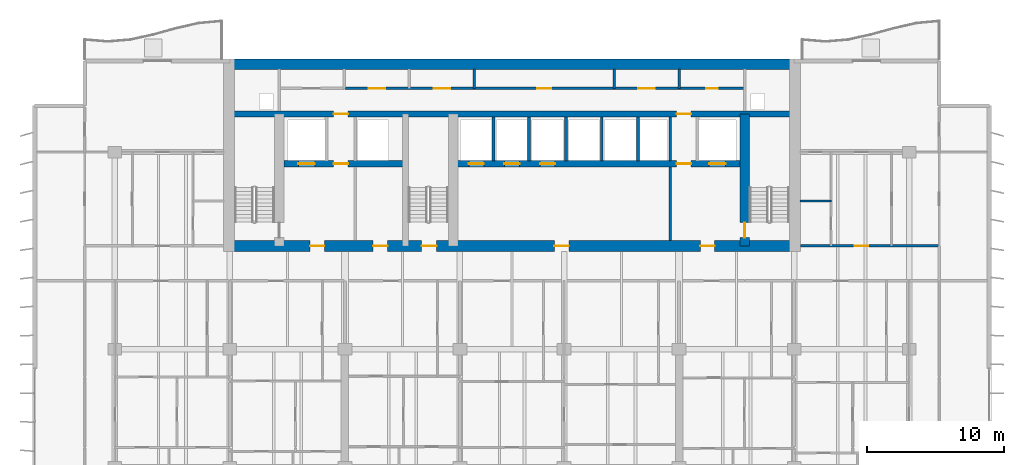
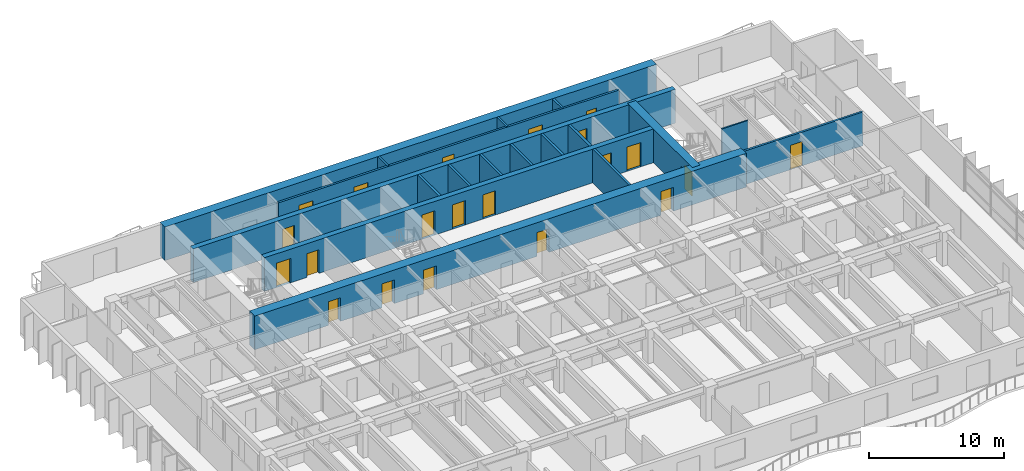
# One storey, part 11 of 17: 21 doors, 18 walls, 21 openings.
"""IFC4 building model written with IfcOpenShell, lengths in metres."""

from ifc_helpers import new_model, si_unit, direction, frame, frame_2d, origin, place, context, subcontext, project, spatial, rectangle, extrude, material, layer, layer_set, type_object, element, fill, save


model = new_model("IFC4")

# Units and contexts
model_context = context("Model", 3, precision=1e-05, world=origin(), true_north=direction((0.0, 1.0)))
body_context = subcontext(model_context, "Body", "Model", "MODEL_VIEW")
ifc_project = project(units=[si_unit("LENGTHUNIT", "METRE"), si_unit("AREAUNIT", "SQUARE_METRE"), si_unit("VOLUMEUNIT", "CUBIC_METRE"), si_unit("PLANEANGLEUNIT", "RADIAN"), si_unit("MASSUNIT", "GRAM", prefix="KILO")], contexts=[model_context])

# Site, building, storey
site_placement = place(None, origin())
site = spatial("IfcSite", under=ifc_project, at=site_placement, CompositionType="ELEMENT")
building_placement = place(site_placement, origin())
building = spatial("IfcBuilding", under=site, at=building_placement, Name="Caelmar Bay Residences", CompositionType="ELEMENT")
storey_placement = place(building_placement, frame((0.0, 0.0, 87.89990234375)))
storey = spatial("IfcBuildingStorey", under=building, at=storey_placement, Name="L23", CompositionType="ELEMENT", Elevation=87.89990234375)

# Wall, opening, door
ifc_material_1 = material(Name="Concrete f'c 55 MPa (8,000 psi)", Category="concrete")
ifc_layer_1 = layer(ifc_material_1, 0.699951171875)
ifc_layer_set_1 = layer_set([ifc_layer_1], Name="Concrete f'c 55 MPa (8,000 psi)")
wall_type_1 = type_object("IfcWallType", Name="SW-COR-700", PredefinedType="SHEAR", material=ifc_layer_set_1)
wall_1_placement = place(storey_placement, frame((55.89990234375, 36.949951171875, 0.0), z_axis=(0.0, 0.0, 1.0), x_axis=(0.0, 1.0, 0.0)))
wall_1 = element("IfcWall", 1, at=wall_1_placement, inside=storey, type_object=wall_type_1, Name="L23 Core Structural Web Wall ST2W", PredefinedType="SHEAR", context=body_context, shape_type="SweptSolid", body=[
    extrude(rectangle(XDim=9.625, YDim=0.699951171875, at=frame_2d((4.8125, 0.0))), origin(), (0.0, 0.0, 1.0), 3.050048828125),
])
opening_1_placement = place(wall_1_placement, frame((0.60009765625, 0.0, 0.0)))
opening_1 = element("IfcOpeningElement", 2, at=opening_1_placement, cuts=wall_1, Name="Opening D-L23-111", PredefinedType="OPENING", context=body_context, shape_type="SweptSolid", body=[
    extrude(rectangle(XDim=1.10009765625, YDim=2.14990234375, at=frame_2d((0.550048828125, 1.074951171875))), frame((0.0, 0.35986328125, 0.0), z_axis=(0.0, -1.0, 0.0), x_axis=(1.0, 0.0, 0.0)), (0.0, 0.0, 1.0), 0.719970703125),
])
ifc_material_2 = material(Name="Fire-rated steel and walnut architectural door assembly", Category="steel")
ifc_layer_2 = layer(ifc_material_2, 0.050048828125)
ifc_layer_set_2 = layer_set([ifc_layer_2], Name="Fire-rated steel and walnut architectural door assembly")
door_type_1 = type_object("IfcDoorType", Name="D-STAIR-1100", OperationType="NOTDEFINED", PredefinedType="DOOR", material=ifc_layer_set_2)
door_1_placement = place(opening_1_placement, origin())
door_1 = element("IfcDoor", 3, at=door_1_placement, inside=storey, type_object=door_type_1, Name="L23 Firefighting Lobby East Door", OperationType="SINGLE_SWING_LEFT", OverallHeight=2.14990234375, OverallWidth=1.10009765625, PredefinedType="DOOR", context=body_context, shape_type="SweptSolid", body=[
    extrude(rectangle(XDim=1.10009765625, YDim=2.14990234375, at=frame_2d((0.550048828125, 1.074951171875))), frame((0.0, 0.02490234375, 0.0), z_axis=(0.0, -1.0, 0.0), x_axis=(1.0, 0.0, 0.0)), (0.0, 0.0, 1.0), 0.050048828125),
])
fill(opening_1, door_1)

# Wall, openings, doors
ifc_material_3 = material(Name="Concrete f'c 70 MPa (10,000 psi)", Category="concrete")
ifc_layer_3 = layer(ifc_material_3, 0.800048828125)
ifc_layer_set_3 = layer_set([ifc_layer_3], Name="Concrete f'c 70 MPa (10,000 psi)")
wall_type_2 = type_object("IfcWallType", Name="SW-COR-800", PredefinedType="SHEAR", material=ifc_layer_set_3)
wall_2_placement = place(storey_placement, frame((17.85009765625, 36.949951171875, 0.0), z_axis=(0.0, 0.0, 1.0), x_axis=(1.0, 0.0, 0.0)))
wall_2 = element("IfcWall", 4, at=wall_2_placement, inside=storey, type_object=wall_type_2, Name="L23 Rear Core South Shear Wall", PredefinedType="SHEAR", context=body_context, shape_type="SweptSolid", body=[
    extrude(rectangle(XDim=42.099853515625, YDim=0.800048828125, at=frame_2d((21.0498046875, 0.0))), origin(), (0.0, 0.0, 1.0), 3.050048828125),
])
opening_2_placement = place(wall_2_placement, frame((14.449951171875, 0.0, 0.0)))
opening_2 = element("IfcOpeningElement", 5, at=opening_2_placement, cuts=wall_2, Name="Opening D-L23-106", PredefinedType="OPENING", context=body_context, shape_type="SweptSolid", body=[
    extrude(rectangle(XDim=1.10009765625, YDim=2.14990234375, at=frame_2d((0.550048828125, 1.074951171875))), frame((0.0, 0.409912109375, 0.0), z_axis=(0.0, -1.0, 0.0), x_axis=(1.0, 0.0, 0.0)), (0.0, 0.0, 1.0), 0.820068359375),
])
opening_3_placement = place(wall_2_placement, frame((6.300048828125, 0.0, 0.0)))
opening_3 = element("IfcOpeningElement", 6, at=opening_3_placement, cuts=wall_2, Name="Opening D-L23-107", PredefinedType="OPENING", context=body_context, shape_type="SweptSolid", body=[
    extrude(rectangle(XDim=1.050048828125, YDim=2.14990234375, at=frame_2d((0.52490234375, 1.074951171875))), frame((0.0, 0.409912109375, 0.0), z_axis=(0.0, -1.0, 0.0), x_axis=(1.0, 0.0, 0.0)), (0.0, 0.0, 1.0), 0.820068359375),
])
opening_4_placement = place(wall_2_placement, frame((34.800048828125, 0.0, 0.0)))
opening_4 = element("IfcOpeningElement", 7, at=opening_4_placement, cuts=wall_2, Name="Opening D-L23-110", PredefinedType="OPENING", context=body_context, shape_type="SweptSolid", body=[
    extrude(rectangle(XDim=1.050048828125, YDim=2.14990234375, at=frame_2d((0.52490234375, 1.074951171875))), frame((0.0, 0.409912109375, 0.0), z_axis=(0.0, -1.0, 0.0), x_axis=(1.0, 0.0, 0.0)), (0.0, 0.0, 1.0), 0.820068359375),
])
opening_5_placement = place(wall_2_placement, frame((10.91259765625, 0.0, 0.0)))
opening_5 = element("IfcOpeningElement", 8, at=opening_5_placement, cuts=wall_2, Name="Opening D-L23-113", PredefinedType="OPENING", context=body_context, shape_type="SweptSolid", body=[
    extrude(rectangle(XDim=1.050048828125, YDim=2.14990234375, at=frame_2d((0.52490234375, 1.074951171875))), frame((0.0, 0.409912109375, 0.0), z_axis=(0.0, -1.0, 0.0), x_axis=(1.0, 0.0, 0.0)), (0.0, 0.0, 1.0), 0.820068359375),
])
opening_6_placement = place(wall_2_placement, frame((24.14990234375, 0.0, 0.0)))
opening_6 = element("IfcOpeningElement", 9, at=opening_6_placement, cuts=wall_2, Name="Opening D-L23-114", PredefinedType="OPENING", context=body_context, shape_type="SweptSolid", body=[
    extrude(rectangle(XDim=1.050048828125, YDim=2.14990234375, at=frame_2d((0.52490234375, 1.074951171875))), frame((0.0, 0.409912109375, 0.0), z_axis=(0.0, -1.0, 0.0), x_axis=(1.0, 0.0, 0.0)), (0.0, 0.0, 1.0), 0.820068359375),
])
ifc_layer_4 = layer(ifc_material_2, 0.050048828125)
ifc_layer_set_4 = layer_set([ifc_layer_4], Name="Fire-rated steel and walnut architectural door assembly")
door_type_2 = type_object("IfcDoorType", Name="D-FSAE-1050", OperationType="NOTDEFINED", PredefinedType="DOOR", material=ifc_layer_set_4)
door_2_placement = place(opening_3_placement, origin())
door_2 = element("IfcDoor", 10, at=door_2_placement, inside=storey, type_object=door_type_2, Name="L23 Firefighting Lobby West Door", OperationType="SINGLE_SWING_LEFT", OverallHeight=2.14990234375, OverallWidth=1.050048828125, PredefinedType="DOOR", context=body_context, shape_type="SweptSolid", body=[
    extrude(rectangle(XDim=1.050048828125, YDim=2.14990234375, at=frame_2d((0.52490234375, 1.074951171875))), frame((0.0, 0.02490234375, 0.0), z_axis=(0.0, -1.0, 0.0), x_axis=(1.0, 0.0, 0.0)), (0.0, 0.0, 1.0), 0.050048828125),
])
fill(opening_3, door_2)
door_3_placement = place(opening_4_placement, origin())
door_3 = element("IfcDoor", 11, at=door_3_placement, inside=storey, type_object=door_type_2, Name="L23 Firefighting Lobby East Door", OperationType="SINGLE_SWING_RIGHT", OverallHeight=2.14990234375, OverallWidth=1.050048828125, PredefinedType="DOOR", context=body_context, shape_type="SweptSolid", body=[
    extrude(rectangle(XDim=1.050048828125, YDim=2.14990234375, at=frame_2d((0.52490234375, 1.074951171875))), frame((0.0, 0.02490234375, 0.0), z_axis=(0.0, -1.0, 0.0), x_axis=(1.0, 0.0, 0.0)), (0.0, 0.0, 1.0), 0.050048828125),
])
fill(opening_4, door_3)
door_4_placement = place(opening_5_placement, origin())
door_4 = element("IfcDoor", 12, at=door_4_placement, inside=storey, type_object=door_type_2, Name="L23 West Lift Lobby Door", OperationType="SINGLE_SWING_LEFT", OverallHeight=2.14990234375, OverallWidth=1.050048828125, PredefinedType="DOOR", context=body_context, shape_type="SweptSolid", body=[
    extrude(rectangle(XDim=1.050048828125, YDim=2.14990234375, at=frame_2d((0.52490234375, 1.074951171875))), frame((0.0, 0.02490234375, 0.0), z_axis=(0.0, -1.0, 0.0), x_axis=(1.0, 0.0, 0.0)), (0.0, 0.0, 1.0), 0.050048828125),
])
fill(opening_5, door_4)
door_5_placement = place(opening_6_placement, origin())
door_5 = element("IfcDoor", 13, at=door_5_placement, inside=storey, type_object=door_type_2, Name="L23 Passenger Lift Lobby Door", OperationType="SINGLE_SWING_RIGHT", OverallHeight=2.14990234375, OverallWidth=1.050048828125, PredefinedType="DOOR", context=body_context, shape_type="SweptSolid", body=[
    extrude(rectangle(XDim=1.050048828125, YDim=2.14990234375, at=frame_2d((0.52490234375, 1.074951171875))), frame((0.0, 0.02490234375, 0.0), z_axis=(0.0, -1.0, 0.0), x_axis=(1.0, 0.0, 0.0)), (0.0, 0.0, 1.0), 0.050048828125),
])
fill(opening_6, door_5)
door_6_placement = place(opening_2_placement, origin())
door_6 = element("IfcDoor", 14, at=door_6_placement, inside=storey, type_object=door_type_1, Name="L23 Exit Stair ST3 Door", OperationType="SINGLE_SWING_RIGHT", OverallHeight=2.14990234375, OverallWidth=1.10009765625, PredefinedType="DOOR", context=body_context, shape_type="SweptSolid", body=[
    extrude(rectangle(XDim=1.10009765625, YDim=2.14990234375, at=frame_2d((0.550048828125, 1.074951171875))), frame((0.0, 0.02490234375, 0.0), z_axis=(0.0, -1.0, 0.0), x_axis=(1.0, 0.0, 0.0)), (0.0, 0.0, 1.0), 0.050048828125),
])
fill(opening_2, door_6)

# Wall
ifc_layer_5 = layer(ifc_material_3, 0.75)
ifc_layer_set_5 = layer_set([ifc_layer_5], Name="Concrete f'c 70 MPa (10,000 psi)")
wall_type_3 = type_object("IfcWallType", Name="SW-CORN-750", PredefinedType="SHEAR", material=ifc_layer_set_5)
wall_3_placement = place(storey_placement, frame((17.85009765625, 50.22509765625, 0.0), z_axis=(0.0, 0.0, 1.0), x_axis=(1.0, 0.0, 0.0)))
element("IfcWall", 15, at=wall_3_placement, inside=storey, type_object=wall_type_3, Name="L23 Rear Core North Shear Wall", PredefinedType="SHEAR", context=body_context, shape_type="SweptSolid", body=[
    extrude(rectangle(XDim=42.099853515625, YDim=0.75, at=frame_2d((21.0498046875, 0.0))), origin(), (0.0, 0.0, 1.0), 3.050048828125),
])

# Wall, openings, doors
ifc_layer_6 = layer(ifc_material_3, 0.449951171875)
ifc_layer_set_6 = layer_set([ifc_layer_6], Name="Concrete f'c 70 MPa (10,000 psi)")
wall_type_4 = type_object("IfcWallType", Name="SW-WEB-450", PredefinedType="SHEAR", material=ifc_layer_set_6)
wall_4_placement = place(storey_placement, frame((22.25, 42.949951171875, 0.0), z_axis=(0.0, 0.0, 1.0), x_axis=(1.0, 0.0, 0.0)))
wall_4 = element("IfcWall", 16, at=wall_4_placement, inside=storey, type_object=wall_type_4, Name="L23 Core Structural Web Wall LFR", PredefinedType="SHEAR", context=body_context, shape_type="SweptSolid", body=[
    extrude(rectangle(XDim=33.300048828125, YDim=0.449951171875, at=frame_2d((16.64990234375, 0.0))), origin(), (0.0, 0.0, 1.0), 3.050048828125),
])
opening_7_placement = place(wall_4_placement, frame((1.050048828125, 0.0, 0.0)))
opening_7 = element("IfcOpeningElement", 17, at=opening_7_placement, cuts=wall_4, Name="Opening LD2", PredefinedType="OPENING", context=body_context, shape_type="SweptSolid", body=[
    extrude(rectangle(XDim=1.199951171875, YDim=2.199951171875, at=frame_2d((0.60009765625, 1.10009765625))), frame((0.0, 0.23486328125, 0.0), z_axis=(0.0, -1.0, 0.0), x_axis=(1.0, 0.0, 0.0)), (0.0, 0.0, 1.0), 0.469970703125),
])
opening_8_placement = place(wall_4_placement, frame((31.050048828125, 0.0, 0.0)))
opening_8 = element("IfcOpeningElement", 18, at=opening_8_placement, cuts=wall_4, Name="Opening LD2", PredefinedType="OPENING", context=body_context, shape_type="SweptSolid", body=[
    extrude(rectangle(XDim=1.199951171875, YDim=2.199951171875, at=frame_2d((0.60009765625, 1.10009765625))), frame((0.0, 0.23486328125, 0.0), z_axis=(0.0, -1.0, 0.0), x_axis=(1.0, 0.0, 0.0)), (0.0, 0.0, 1.0), 0.469970703125),
])
opening_9_placement = place(wall_4_placement, frame((13.5, 0.0, 0.0)))
opening_9 = element("IfcOpeningElement", 19, at=opening_9_placement, cuts=wall_4, Name="Opening LD1", PredefinedType="OPENING", context=body_context, shape_type="SweptSolid", body=[
    extrude(rectangle(XDim=1.10009765625, YDim=2.199951171875, at=frame_2d((0.550048828125, 1.10009765625))), frame((0.0, 0.23486328125, 0.0), z_axis=(0.0, -1.0, 0.0), x_axis=(1.0, 0.0, 0.0)), (0.0, 0.0, 1.0), 0.469970703125),
])
opening_10_placement = place(wall_4_placement, frame((16.10009765625, 0.0, 0.0)))
opening_10 = element("IfcOpeningElement", 20, at=opening_10_placement, cuts=wall_4, Name="Opening LD1", PredefinedType="OPENING", context=body_context, shape_type="SweptSolid", body=[
    extrude(rectangle(XDim=1.10009765625, YDim=2.199951171875, at=frame_2d((0.550048828125, 1.10009765625))), frame((0.0, 0.23486328125, 0.0), z_axis=(0.0, -1.0, 0.0), x_axis=(1.0, 0.0, 0.0)), (0.0, 0.0, 1.0), 0.469970703125),
])
opening_11_placement = place(wall_4_placement, frame((18.699951171875, 0.0, 0.0)))
opening_11 = element("IfcOpeningElement", 21, at=opening_11_placement, cuts=wall_4, Name="Opening LD1", PredefinedType="OPENING", context=body_context, shape_type="SweptSolid", body=[
    extrude(rectangle(XDim=1.10009765625, YDim=2.199951171875, at=frame_2d((0.550048828125, 1.10009765625))), frame((0.0, 0.23486328125, 0.0), z_axis=(0.0, -1.0, 0.0), x_axis=(1.0, 0.0, 0.0)), (0.0, 0.0, 1.0), 0.469970703125),
])
opening_12_placement = place(wall_4_placement, frame((3.625, 0.0, 0.0)))
opening_12 = element("IfcOpeningElement", 22, at=opening_12_placement, cuts=wall_4, Name="Opening D-L23-109", PredefinedType="OPENING", context=body_context, shape_type="SweptSolid", body=[
    extrude(rectangle(XDim=1.050048828125, YDim=2.14990234375, at=frame_2d((0.52490234375, 1.074951171875))), frame((0.0, 0.23486328125, 0.0), z_axis=(0.0, -1.0, 0.0), x_axis=(1.0, 0.0, 0.0)), (0.0, 0.0, 1.0), 0.469970703125),
])
opening_13_placement = place(wall_4_placement, frame((28.675048828125, 0.0, 0.0)))
opening_13 = element("IfcOpeningElement", 23, at=opening_13_placement, cuts=wall_4, Name="Opening D-L23-112", PredefinedType="OPENING", context=body_context, shape_type="SweptSolid", body=[
    extrude(rectangle(XDim=1.050048828125, YDim=2.14990234375, at=frame_2d((0.52490234375, 1.074951171875))), frame((0.0, 0.23486328125, 0.0), z_axis=(0.0, -1.0, 0.0), x_axis=(1.0, 0.0, 0.0)), (0.0, 0.0, 1.0), 0.469970703125),
])
door_7_placement = place(opening_12_placement, origin())
door_7 = element("IfcDoor", 24, at=door_7_placement, inside=storey, type_object=door_type_2, Name="L23 Firefighting Lobby West Door", OperationType="SINGLE_SWING_LEFT", OverallHeight=2.14990234375, OverallWidth=1.050048828125, PredefinedType="DOOR", context=body_context, shape_type="SweptSolid", body=[
    extrude(rectangle(XDim=1.050048828125, YDim=2.14990234375, at=frame_2d((0.52490234375, 1.074951171875))), frame((0.0, 0.02490234375, 0.0), z_axis=(0.0, -1.0, 0.0), x_axis=(1.0, 0.0, 0.0)), (0.0, 0.0, 1.0), 0.050048828125),
])
fill(opening_12, door_7)
door_8_placement = place(opening_13_placement, origin())
door_8 = element("IfcDoor", 25, at=door_8_placement, inside=storey, type_object=door_type_2, Name="L23 Firefighting Lobby East Door", OperationType="SINGLE_SWING_RIGHT", OverallHeight=2.14990234375, OverallWidth=1.050048828125, PredefinedType="DOOR", context=body_context, shape_type="SweptSolid", body=[
    extrude(rectangle(XDim=1.050048828125, YDim=2.14990234375, at=frame_2d((0.52490234375, 1.074951171875))), frame((0.0, 0.02490234375, 0.0), z_axis=(0.0, -1.0, 0.0), x_axis=(1.0, 0.0, 0.0)), (0.0, 0.0, 1.0), 0.050048828125),
])
fill(opening_13, door_8)
ifc_material_4 = material(Name="Brushed bronze stainless-steel fire-rated lift landing doors", Category="steel")
ifc_layer_7 = layer(ifc_material_4, 0.050048828125)
ifc_layer_set_7 = layer_set([ifc_layer_7], Name="Brushed bronze stainless-steel fire-rated lift landing doors")
door_type_3 = type_object("IfcDoorType", Name="D-LND-1100", OperationType="DOUBLE_DOOR_SLIDING", PredefinedType="DOOR", material=ifc_layer_set_7)
door_9_placement = place(opening_9_placement, origin())
door_9 = element("IfcDoor", 26, at=door_9_placement, inside=storey, type_object=door_type_3, Name="L23 LP1 Sliding Landing Door", OperationType="DOUBLE_DOOR_SLIDING", OverallHeight=2.199951171875, OverallWidth=1.10009765625, PredefinedType="DOOR", context=body_context, shape_type="SweptSolid", body=[
    extrude(rectangle(XDim=1.10009765625, YDim=2.199951171875, at=frame_2d((0.550048828125, 1.10009765625))), frame((0.0, 0.02490234375, 0.0), z_axis=(0.0, -1.0, 0.0), x_axis=(1.0, 0.0, 0.0)), (0.0, 0.0, 1.0), 0.050048828125),
])
fill(opening_9, door_9)
door_10_placement = place(opening_10_placement, origin())
door_10 = element("IfcDoor", 27, at=door_10_placement, inside=storey, type_object=door_type_3, Name="L23 LP2 Sliding Landing Door", OperationType="DOUBLE_DOOR_SLIDING", OverallHeight=2.199951171875, OverallWidth=1.10009765625, PredefinedType="DOOR", context=body_context, shape_type="SweptSolid", body=[
    extrude(rectangle(XDim=1.10009765625, YDim=2.199951171875, at=frame_2d((0.550048828125, 1.10009765625))), frame((0.0, 0.02490234375, 0.0), z_axis=(0.0, -1.0, 0.0), x_axis=(1.0, 0.0, 0.0)), (0.0, 0.0, 1.0), 0.050048828125),
])
fill(opening_10, door_10)
door_11_placement = place(opening_11_placement, origin())
door_11 = element("IfcDoor", 28, at=door_11_placement, inside=storey, type_object=door_type_3, Name="L23 LP3 Sliding Landing Door", OperationType="DOUBLE_DOOR_SLIDING", OverallHeight=2.199951171875, OverallWidth=1.10009765625, PredefinedType="DOOR", context=body_context, shape_type="SweptSolid", body=[
    extrude(rectangle(XDim=1.10009765625, YDim=2.199951171875, at=frame_2d((0.550048828125, 1.10009765625))), frame((0.0, 0.02490234375, 0.0), z_axis=(0.0, -1.0, 0.0), x_axis=(1.0, 0.0, 0.0)), (0.0, 0.0, 1.0), 0.050048828125),
])
fill(opening_11, door_11)
ifc_material_5 = material(Name="Brushed stainless-steel FSAE sliding landing door", Category="steel")
ifc_layer_8 = layer(ifc_material_5, 0.050048828125)
ifc_layer_set_8 = layer_set([ifc_layer_8], Name="Brushed stainless-steel FSAE sliding landing door")
door_type_4 = type_object("IfcDoorType", Name="D-LND-1200", OperationType="DOUBLE_DOOR_SLIDING", PredefinedType="DOOR", material=ifc_layer_set_8)
door_12_placement = place(opening_7_placement, origin())
door_12 = element("IfcDoor", 29, at=door_12_placement, inside=storey, type_object=door_type_4, Name="L23 LF1 Sliding Landing Door", OperationType="DOUBLE_DOOR_SLIDING", OverallHeight=2.199951171875, OverallWidth=1.199951171875, PredefinedType="DOOR", context=body_context, shape_type="SweptSolid", body=[
    extrude(rectangle(XDim=1.199951171875, YDim=2.199951171875, at=frame_2d((0.60009765625, 1.10009765625))), frame((0.0, 0.02490234375, 0.0), z_axis=(0.0, -1.0, 0.0), x_axis=(1.0, 0.0, 0.0)), (0.0, 0.0, 1.0), 0.050048828125),
])
fill(opening_7, door_12)
door_13_placement = place(opening_8_placement, origin())
door_13 = element("IfcDoor", 30, at=door_13_placement, inside=storey, type_object=door_type_4, Name="L23 LF2 Sliding Landing Door", OperationType="DOUBLE_DOOR_SLIDING", OverallHeight=2.199951171875, OverallWidth=1.199951171875, PredefinedType="DOOR", context=body_context, shape_type="SweptSolid", body=[
    extrude(rectangle(XDim=1.199951171875, YDim=2.199951171875, at=frame_2d((0.60009765625, 1.10009765625))), frame((0.0, 0.02490234375, 0.0), z_axis=(0.0, -1.0, 0.0), x_axis=(1.0, 0.0, 0.0)), (0.0, 0.0, 1.0), 0.050048828125),
])
fill(opening_8, door_13)

wall_5_placement = place(storey_placement, frame((18.25, 46.574951171875, 0.0), z_axis=(0.0, 0.0, 1.0), x_axis=(1.0, 0.0, 0.0)))
wall_5 = element("IfcWall", 31, at=wall_5_placement, inside=storey, type_object=wall_type_4, Name="L23 Core Structural Web Wall SRVS", PredefinedType="SHEAR", context=body_context, shape_type="SweptSolid", body=[
    extrude(rectangle(XDim=41.300048828125, YDim=0.449951171875, at=frame_2d((20.64990234375, 0.0))), origin(), (0.0, 0.0, 1.0), 3.050048828125),
])
opening_14_placement = place(wall_5_placement, frame((7.625, 0.0, 0.0)))
opening_14 = element("IfcOpeningElement", 32, at=opening_14_placement, cuts=wall_5, Name="Opening D-L23-115", PredefinedType="OPENING", context=body_context, shape_type="SweptSolid", body=[
    extrude(rectangle(XDim=1.050048828125, YDim=2.14990234375, at=frame_2d((0.52490234375, 1.074951171875))), frame((0.0, 0.23486328125, 0.0), z_axis=(0.0, -1.0, 0.0), x_axis=(1.0, 0.0, 0.0)), (0.0, 0.0, 1.0), 0.469970703125),
])
opening_15_placement = place(wall_5_placement, frame((32.675048828125, 0.0, 0.0)))
opening_15 = element("IfcOpeningElement", 33, at=opening_15_placement, cuts=wall_5, Name="Opening D-L23-116", PredefinedType="OPENING", context=body_context, shape_type="SweptSolid", body=[
    extrude(rectangle(XDim=1.050048828125, YDim=2.14990234375, at=frame_2d((0.52490234375, 1.074951171875))), frame((0.0, 0.23486328125, 0.0), z_axis=(0.0, -1.0, 0.0), x_axis=(1.0, 0.0, 0.0)), (0.0, 0.0, 1.0), 0.469970703125),
])
door_14_placement = place(opening_14_placement, origin())
door_14 = element("IfcDoor", 34, at=door_14_placement, inside=storey, type_object=door_type_2, Name="L23 Core Service Corridor Door", OperationType="SINGLE_SWING_LEFT", OverallHeight=2.14990234375, OverallWidth=1.050048828125, PredefinedType="DOOR", context=body_context, shape_type="SweptSolid", body=[
    extrude(rectangle(XDim=1.050048828125, YDim=2.14990234375, at=frame_2d((0.52490234375, 1.074951171875))), frame((0.0, 0.02490234375, 0.0), z_axis=(0.0, -1.0, 0.0), x_axis=(1.0, 0.0, 0.0)), (0.0, 0.0, 1.0), 0.050048828125),
])
fill(opening_14, door_14)
door_15_placement = place(opening_15_placement, origin())
door_15 = element("IfcDoor", 35, at=door_15_placement, inside=storey, type_object=door_type_2, Name="L23 Core Service Corridor Door", OperationType="SINGLE_SWING_RIGHT", OverallHeight=2.14990234375, OverallWidth=1.050048828125, PredefinedType="DOOR", context=body_context, shape_type="SweptSolid", body=[
    extrude(rectangle(XDim=1.050048828125, YDim=2.14990234375, at=frame_2d((0.52490234375, 1.074951171875))), frame((0.0, 0.02490234375, 0.0), z_axis=(0.0, -1.0, 0.0), x_axis=(1.0, 0.0, 0.0)), (0.0, 0.0, 1.0), 0.050048828125),
])
fill(opening_15, door_15)

# Walls
ifc_material_6 = material(Name="Double-stud acoustic fire-rated gypsum partition 180 mm")
ifc_layer_9 = layer(ifc_material_6, 0.179931640625)
ifc_layer_set_9 = layer_set([ifc_layer_9], Name="Double-stud acoustic fire-rated gypsum partition 180 mm")
wall_type_5 = type_object("IfcWallType", Name="W-COR-200", PredefinedType="PARTITIONING", material=ifc_layer_set_9)
for number, where, z_axis, x_axis, name in (
    (36, (36.14990234375, 48.449951171875, 0.0), (0.0, 0.0, 1.0), (0.0, 1.0, 0.0), "L23 Partition Wall V050"),
    (37, (46.35009765625, 48.449951171875, 0.0), (0.0, 0.0, 1.0), (0.0, 1.0, 0.0), "L23 Partition Wall V062"),
    (38, (51.10009765625, 48.449951171875, 0.0), (0.0, 0.0, 1.0), (0.0, 1.0, 0.0), "L23 Partition Wall V072"),
):
    element("IfcWall", number, at=place(storey_placement, frame(where, z_axis=z_axis, x_axis=x_axis)), inside=storey, type_object=wall_type_5, Name=name, PredefinedType="PARTITIONING", context=body_context, shape_type="SweptSolid", body=[
        extrude(rectangle(XDim=1.405029296875, YDim=0.179931640625, at=frame_2d((0.70263671875, 0.0))), origin(), (0.0, 0.0, 1.0), 3.050048828125),
    ])

# Wall, opening, door
wall_6_placement = place(storey_placement, frame((59.955078125, 36.949951171875, 0.0), z_axis=(0.0, 0.0, 1.0), x_axis=(1.0, 0.0, 0.0)))
wall_6 = element("IfcWall", 39, at=wall_6_placement, inside=storey, type_object=wall_type_5, Name="L23 Partition Wall H137", PredefinedType="PARTITIONING", context=body_context, shape_type="SweptSolid", body=[
    extrude(rectangle(XDim=10.14501953125, YDim=0.179931640625, at=frame_2d((5.072509765625, 0.0))), origin(), (0.0, 0.0, 1.0), 3.050048828125),
])
opening_16_placement = place(wall_6_placement, frame((3.95703125, 0.0, 0.0)))
opening_16 = element("IfcOpeningElement", 40, at=opening_16_placement, cuts=wall_6, Name="Opening D-L23-179", PredefinedType="OPENING", context=body_context, shape_type="SweptSolid", body=[
    extrude(rectangle(XDim=1.0, YDim=2.199951171875, at=frame_2d((0.5, 1.10009765625))), frame((0.0, 0.099853515625, 0.0), z_axis=(0.0, -1.0, 0.0), x_axis=(1.0, 0.0, 0.0)), (0.0, 0.0, 1.0), 0.199951171875),
])
ifc_layer_10 = layer(ifc_material_2, 0.050048828125)
ifc_layer_set_10 = layer_set([ifc_layer_10], Name="Fire-rated steel and walnut architectural door assembly")
door_type_5 = type_object("IfcDoorType", Name="D-UNIT-1000", OperationType="NOTDEFINED", PredefinedType="DOOR", material=ifc_layer_set_10)
door_16_placement = place(opening_16_placement, origin())
door_16 = element("IfcDoor", 41, at=door_16_placement, inside=storey, type_object=door_type_5, Name="L23 Residence EA Kitchen Door", OperationType="SINGLE_SWING_LEFT", OverallHeight=2.199951171875, OverallWidth=1.0, PredefinedType="DOOR", context=body_context, shape_type="SweptSolid", body=[
    extrude(rectangle(XDim=1.0, YDim=2.199951171875, at=frame_2d((0.5, 1.10009765625))), frame((0.0, 0.02490234375, 0.0), z_axis=(0.0, -1.0, 0.0), x_axis=(1.0, 0.0, 0.0)), (0.0, 0.0, 1.0), 0.050048828125),
])
fill(opening_16, door_16)

# Wall, openings, doors
wall_7_placement = place(storey_placement, frame((26.699951171875, 48.449951171875, 0.0), z_axis=(0.0, 0.0, 1.0), x_axis=(1.0, 0.0, 0.0)))
wall_7 = element("IfcWall", 42, at=wall_7_placement, inside=storey, type_object=wall_type_5, Name="L23 Partition Wall H143", PredefinedType="PARTITIONING", context=body_context, shape_type="SweptSolid", body=[
    extrude(rectangle(XDim=29.18603515625, YDim=0.179931640625, at=frame_2d((14.593017578125, 0.0))), origin(), (0.0, 0.0, 1.0), 3.050048828125),
])
opening_17_placement = place(wall_7_placement, frame((1.75, 0.0, 0.0)))
opening_17 = element("IfcOpeningElement", 43, at=opening_17_placement, cuts=wall_7, Name="Opening D-L23-118", PredefinedType="OPENING", context=body_context, shape_type="SweptSolid", body=[
    extrude(rectangle(XDim=1.199951171875, YDim=2.199951171875, at=frame_2d((0.60009765625, 1.10009765625))), frame((0.0, 0.099853515625, 0.0), z_axis=(0.0, -1.0, 0.0), x_axis=(1.0, 0.0, 0.0)), (0.0, 0.0, 1.0), 0.199951171875),
])
opening_18_placement = place(wall_7_placement, frame((6.47509765625, 0.0, 0.0)))
opening_18 = element("IfcOpeningElement", 44, at=opening_18_placement, cuts=wall_7, Name="Opening D-L23-119", PredefinedType="OPENING", context=body_context, shape_type="SweptSolid", body=[
    extrude(rectangle(XDim=1.199951171875, YDim=2.199951171875, at=frame_2d((0.60009765625, 1.10009765625))), frame((0.0, 0.099853515625, 0.0), z_axis=(0.0, -1.0, 0.0), x_axis=(1.0, 0.0, 0.0)), (0.0, 0.0, 1.0), 0.199951171875),
])
opening_19_placement = place(wall_7_placement, frame((14.050048828125, 0.0, 0.0)))
opening_19 = element("IfcOpeningElement", 45, at=opening_19_placement, cuts=wall_7, Name="Opening D-L23-120", PredefinedType="OPENING", context=body_context, shape_type="SweptSolid", body=[
    extrude(rectangle(XDim=1.0, YDim=2.199951171875, at=frame_2d((0.5, 1.10009765625))), frame((0.0, 0.099853515625, 0.0), z_axis=(0.0, -1.0, 0.0), x_axis=(1.0, 0.0, 0.0)), (0.0, 0.0, 1.0), 0.199951171875),
])
opening_20_placement = place(wall_7_placement, frame((21.425048828125, 0.0, 0.0)))
opening_20 = element("IfcOpeningElement", 46, at=opening_20_placement, cuts=wall_7, Name="Opening D-L23-121", PredefinedType="OPENING", context=body_context, shape_type="SweptSolid", body=[
    extrude(rectangle(XDim=1.199951171875, YDim=2.199951171875, at=frame_2d((0.60009765625, 1.10009765625))), frame((0.0, 0.099853515625, 0.0), z_axis=(0.0, -1.0, 0.0), x_axis=(1.0, 0.0, 0.0)), (0.0, 0.0, 1.0), 0.199951171875),
])
opening_21_placement = place(wall_7_placement, frame((26.367919921875, 0.0, 0.0)))
opening_21 = element("IfcOpeningElement", 47, at=opening_21_placement, cuts=wall_7, Name="Opening D-L23-122", PredefinedType="OPENING", context=body_context, shape_type="SweptSolid", body=[
    extrude(rectangle(XDim=0.85009765625, YDim=2.10009765625, at=frame_2d((0.425048828125, 1.050048828125))), frame((0.0, 0.099853515625, 0.0), z_axis=(0.0, -1.0, 0.0), x_axis=(1.0, 0.0, 0.0)), (0.0, 0.0, 1.0), 0.199951171875),
])
ifc_layer_11 = layer(ifc_material_2, 0.050048828125)
ifc_layer_set_11 = layer_set([ifc_layer_11], Name="Fire-rated steel and walnut architectural door assembly")
door_type_6 = type_object("IfcDoorType", Name="D-CORE-850", OperationType="NOTDEFINED", PredefinedType="DOOR", material=ifc_layer_set_11)
door_17_placement = place(opening_21_placement, origin())
door_17 = element("IfcDoor", 48, at=door_17_placement, inside=storey, type_object=door_type_6, Name="L23 Staff Restroom Door", OperationType="SINGLE_SWING_RIGHT", OverallHeight=2.10009765625, OverallWidth=0.85009765625, PredefinedType="DOOR", context=body_context, shape_type="SweptSolid", body=[
    extrude(rectangle(XDim=0.85009765625, YDim=2.10009765625, at=frame_2d((0.425048828125, 1.050048828125))), frame((0.0, 0.02490234375, 0.0), z_axis=(0.0, -1.0, 0.0), x_axis=(1.0, 0.0, 0.0)), (0.0, 0.0, 1.0), 0.050048828125),
])
fill(opening_21, door_17)
ifc_layer_12 = layer(ifc_material_2, 0.050048828125)
ifc_layer_set_12 = layer_set([ifc_layer_12], Name="Fire-rated steel and walnut architectural door assembly")
door_type_7 = type_object("IfcDoorType", Name="D-PLANT-1200", OperationType="NOTDEFINED", PredefinedType="DOOR", material=ifc_layer_set_12)
door_18_placement = place(opening_17_placement, origin())
door_18 = element("IfcDoor", 49, at=door_18_placement, inside=storey, type_object=door_type_7, Name="L23 Water Meter Closet Door", OperationType="SINGLE_SWING_RIGHT", OverallHeight=2.199951171875, OverallWidth=1.199951171875, PredefinedType="DOOR", context=body_context, shape_type="SweptSolid", body=[
    extrude(rectangle(XDim=1.199951171875, YDim=2.199951171875, at=frame_2d((0.60009765625, 1.10009765625))), frame((0.0, 0.02490234375, 0.0), z_axis=(0.0, -1.0, 0.0), x_axis=(1.0, 0.0, 0.0)), (0.0, 0.0, 1.0), 0.050048828125),
])
fill(opening_17, door_18)
door_19_placement = place(opening_18_placement, origin())
door_19 = element("IfcDoor", 50, at=door_19_placement, inside=storey, type_object=door_type_7, Name="L23 Low-Voltage Data Closet Door", OperationType="SINGLE_SWING_LEFT", OverallHeight=2.199951171875, OverallWidth=1.199951171875, PredefinedType="DOOR", context=body_context, shape_type="SweptSolid", body=[
    extrude(rectangle(XDim=1.199951171875, YDim=2.199951171875, at=frame_2d((0.60009765625, 1.10009765625))), frame((0.0, 0.02490234375, 0.0), z_axis=(0.0, -1.0, 0.0), x_axis=(1.0, 0.0, 0.0)), (0.0, 0.0, 1.0), 0.050048828125),
])
fill(opening_18, door_19)
door_20_placement = place(opening_20_placement, origin())
door_20 = element("IfcDoor", 51, at=door_20_placement, inside=storey, type_object=door_type_7, Name="L23 Valet Trunk Closet Door", OperationType="SINGLE_SWING_LEFT", OverallHeight=2.199951171875, OverallWidth=1.199951171875, PredefinedType="DOOR", context=body_context, shape_type="SweptSolid", body=[
    extrude(rectangle(XDim=1.199951171875, YDim=2.199951171875, at=frame_2d((0.60009765625, 1.10009765625))), frame((0.0, 0.02490234375, 0.0), z_axis=(0.0, -1.0, 0.0), x_axis=(1.0, 0.0, 0.0)), (0.0, 0.0, 1.0), 0.050048828125),
])
fill(opening_20, door_20)
door_21_placement = place(opening_19_placement, origin())
door_21 = element("IfcDoor", 52, at=door_21_placement, inside=storey, type_object=door_type_5, Name="L23 Mail Sorting Office Door", OperationType="SINGLE_SWING_RIGHT", OverallHeight=2.199951171875, OverallWidth=1.0, PredefinedType="DOOR", context=body_context, shape_type="SweptSolid", body=[
    extrude(rectangle(XDim=1.0, YDim=2.199951171875, at=frame_2d((0.5, 1.10009765625))), frame((0.0, 0.02490234375, 0.0), z_axis=(0.0, -1.0, 0.0), x_axis=(1.0, 0.0, 0.0)), (0.0, 0.0, 1.0), 0.050048828125),
])
fill(opening_19, door_21)

# Walls
ifc_material_7 = material(Name="Fire-rated masonry and gypsum shaftliner assembly 200 mm", Category="masonry")
ifc_layer_13 = layer(ifc_material_7, 0.199951171875)
ifc_layer_set_13 = layer_set([ifc_layer_13], Name="Fire-rated masonry and gypsum shaftliner assembly 200 mm")
wall_type_6 = type_object("IfcWallType", Name="W-FSAE-200", PredefinedType="PARTITIONING", material=ifc_layer_set_13)
for number, where, z_axis, x_axis, name in (
    (53, (37.550048828125, 43.169921875, 0.0), (0.0, 0.0, 1.0), (0.0, 1.0, 0.0), "L23 Partition Wall V051"),
    (54, (40.14990234375, 43.169921875, 0.0), (0.0, 0.0, 1.0), (0.0, 1.0, 0.0), "L23 Partition Wall V052"),
    (55, (42.85009765625, 43.169921875, 0.0), (0.0, 0.0, 1.0), (0.0, 1.0, 0.0), "L23 Partition Wall V060"),
    (56, (45.449951171875, 43.169921875, 0.0), (0.0, 0.0, 1.0), (0.0, 1.0, 0.0), "L23 Partition Wall V061"),
    (57, (48.10009765625, 43.169921875, 0.0), (0.0, 0.0, 1.0), (0.0, 1.0, 0.0), "L23 Partition Wall V063"),
):
    element("IfcWall", number, at=place(storey_placement, frame(where, z_axis=z_axis, x_axis=x_axis)), inside=storey, type_object=wall_type_6, Name=name, PredefinedType="PARTITIONING", context=body_context, shape_type="SweptSolid", body=[
        extrude(rectangle(XDim=3.18505859375, YDim=0.199951171875, at=frame_2d((1.592529296875, 0.0))), origin(), (0.0, 0.0, 1.0), 3.050048828125),
    ])
wall_8_placement = place(storey_placement, frame((50.449951171875, 37.344970703125, 0.0), z_axis=(0.0, 0.0, 1.0), x_axis=(0.0, 1.0, 0.0)))
element("IfcWall", 58, at=wall_8_placement, inside=storey, type_object=wall_type_6, Name="L23 Partition Wall V067", PredefinedType="PARTITIONING", context=body_context, shape_type="SweptSolid", body=[
    extrude(rectangle(XDim=5.385009765625, YDim=0.199951171875, at=frame_2d((2.6923828125, 0.0))), origin(), (0.0, 0.0, 1.0), 3.050048828125),
])
wall_9_placement = place(storey_placement, frame((50.449951171875, 43.169921875, 0.0), z_axis=(0.0, 0.0, 1.0), x_axis=(0.0, 1.0, 0.0)))
element("IfcWall", 59, at=wall_9_placement, inside=storey, type_object=wall_type_6, Name="L23 Partition Wall V068", PredefinedType="PARTITIONING", context=body_context, shape_type="SweptSolid", body=[
    extrude(rectangle(XDim=3.18505859375, YDim=0.199951171875, at=frame_2d((1.592529296875, 0.0))), origin(), (0.0, 0.0, 1.0), 3.050048828125),
])
ifc_material_8 = material(Name="Acoustic metal-stud gypsum partition 120 mm")
ifc_layer_14 = layer(ifc_material_8, 0.1201171875)
ifc_layer_set_14 = layer_set([ifc_layer_14], Name="Acoustic metal-stud gypsum partition 120 mm")
wall_type_7 = type_object("IfcWallType", Name="W-PRT-120", PredefinedType="PARTITIONING", material=ifc_layer_set_14)
wall_10_placement = place(storey_placement, frame((59.945068359375, 40.238037109375, 0.0), z_axis=(0.0, 0.0, 1.0), x_axis=(1.0, 0.0, 0.0)))
element("IfcWall", 60, at=wall_10_placement, inside=storey, type_object=wall_type_7, Name="L23 Partition Wall H139", PredefinedType="PARTITIONING", context=body_context, shape_type="SweptSolid", body=[
    extrude(rectangle(XDim=2.2548828125, YDim=0.1201171875, at=frame_2d((1.12744140625, 0.0))), origin(), (0.0, 0.0, 1.0), 3.050048828125),
])

save(model, "model.ifc")
